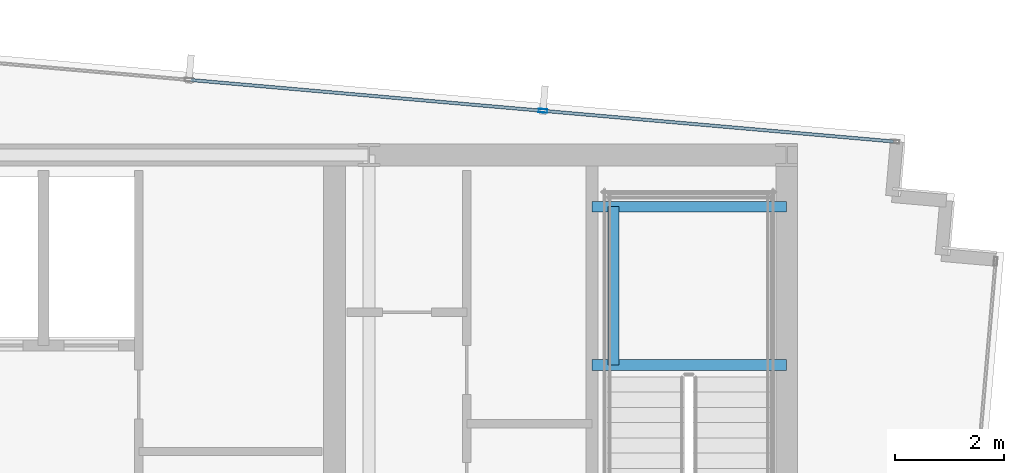
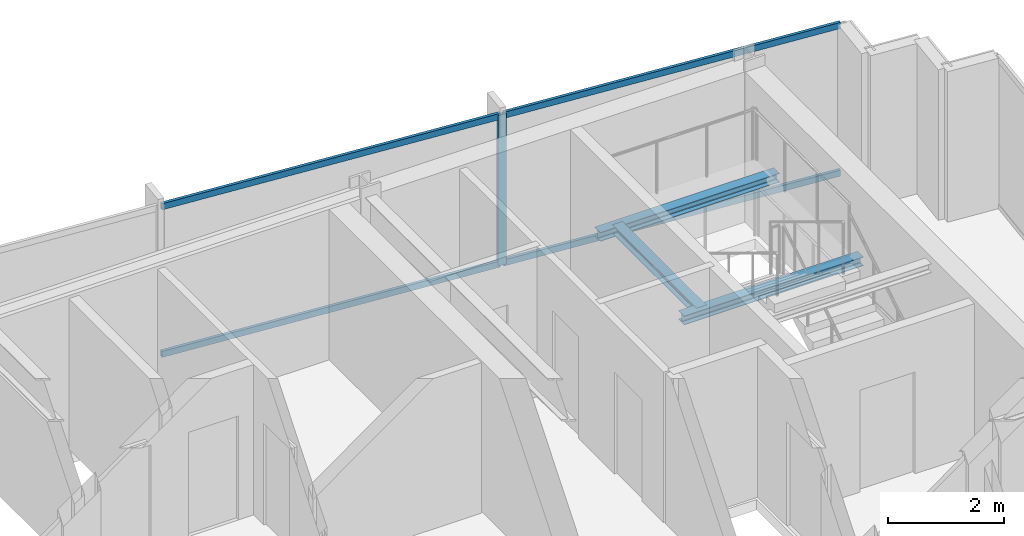
# One storey, part 20 of 33: 5 members, 3 beams, 1 element without a shape of its own.
"""IFC4 building model written with IfcOpenShell, lengths in metres."""

from ifc_helpers import new_model, si_unit, direction, frame, origin, origin_2d, place, context, subcontext, project, spatial, hollow_rectangle, i_section, extrude, material, material_profile, profile_set, type_object, element, aggregate, save


model = new_model("IFC4")

# Units and contexts
model_context = context("Model", 3, precision=1e-05, world=origin(), true_north=direction((0.0, 1.0)))
body_context = subcontext(model_context, "Body", "Model", "MODEL_VIEW")
ifc_project = project(units=[si_unit("LENGTHUNIT", "METRE"), si_unit("AREAUNIT", "SQUARE_METRE"), si_unit("VOLUMEUNIT", "CUBIC_METRE"), si_unit("PLANEANGLEUNIT", "RADIAN"), si_unit("MASSUNIT", "GRAM", prefix="KILO")], contexts=[model_context])

# Site, building, storey
site_placement = place(None, origin())
site = spatial("IfcSite", under=ifc_project, at=site_placement, CompositionType="ELEMENT")
building_placement = place(site_placement, origin())
building = spatial("IfcBuilding", under=site, at=building_placement, Name="Yelkora Congress Tower", CompositionType="ELEMENT")
storey_placement = place(building_placement, frame((0.0, 0.0, 282.89990234375)))
storey = spatial("IfcBuildingStorey", under=building, at=storey_placement, Name="L79", CompositionType="ELEMENT", Elevation=282.89990234375)

# Beams
ifc_material_1 = material(Name="Steel S355J2", Category="steel")
ifc_material_profile_1 = material_profile(ifc_material_1, i_section(OverallWidth=0.199951171875, OverallDepth=0.18994140625, WebThickness=0.006591796875, FlangeThickness=0.010009765625, FilletRadius=0.01806640625, at=origin_2d()), Name="HEA 200")
ifc_profile_set_1 = profile_set([ifc_material_profile_1], Name="Steel S355J2")
beam_type = type_object("IfcBeamType", Name="BM-LAND-HEA200", PredefinedType="BEAM", material=ifc_profile_set_1)
for number, where, z_axis, x_axis, name in (
    (1, (50.179931640625, 42.340087890625, 1.384765625), (1.0, 0.0, 0.0), (0.0, 1.0, 0.0), "ST-02 L79 Landing Header Beam 1S"),
    (2, (50.179931640625, 45.25, 1.384765625), (1.0, 0.0, 0.0), (0.0, 1.0, 0.0), "ST-02 L79 Landing Header Beam 1N"),
):
    element("IfcBeam", number, at=place(storey_placement, frame(where, z_axis=z_axis, x_axis=x_axis)), inside=storey, type_object=beam_type, Name=name, PredefinedType="BEAM", context=body_context, shape_type="SweptSolid", body=[
        extrude(i_section(OverallWidth=0.199951171875, OverallDepth=0.18994140625, WebThickness=0.006591796875, FlangeThickness=0.010009765625, FilletRadius=0.01806640625, at=origin_2d()), origin(), (0.0, 0.0, 1.0), 3.580078125),
    ])
beam_placement = place(storey_placement, frame((50.580078125, 42.340087890625, 1.384765625), z_axis=(0.0, 1.0, 0.0), x_axis=(-1.0, 0.0, 0.0)))
element("IfcBeam", 3, at=beam_placement, inside=storey, type_object=beam_type, Name="ST-02 L79 Landing Trimmer Beam 1M", PredefinedType="BEAM", context=body_context, shape_type="SweptSolid", body=[
    extrude(i_section(OverallWidth=0.199951171875, OverallDepth=0.18994140625, WebThickness=0.006591796875, FlangeThickness=0.010009765625, FilletRadius=0.01806640625, at=origin_2d()), origin(), (0.0, 0.0, 1.0), 2.909912109375),
])

# Curtain wall, members
ifc_material_2 = material(Name="Anodised aluminium and insulated glass", Category="aluminium")
curtain_wall_type = type_object("IfcCurtainWallType", Name="CW-SYS-B5", PredefinedType="NOTDEFINED", material=ifc_material_2)
curtain_wall_placement = place(storey_placement, origin())
curtain_wall = element("IfcCurtainWall", 4, at=curtain_wall_placement, inside=storey, type_object=curtain_wall_type, Name="L79 Unitised Curtain Wall 10", PredefinedType="NOTDEFINED")
ifc_material_3 = material(Name="Anodised aluminium 6063-T6", Category="aluminium")
ifc_material_profile_2 = material_profile(ifc_material_3, hollow_rectangle(XDim=0.06494140625, YDim=0.159912109375, WallThickness=0.00390625, at=origin_2d()), Name="ALU 65x160x4")
ifc_profile_set_2 = profile_set([ifc_material_profile_2], Name="Anodised aluminium 6063-T6")
member_type_1 = type_object("IfcMemberType", Name="MEM-ML-B5", PredefinedType="MULLION", material=ifc_profile_set_2)
member_1_placement = place(storey_placement, frame((49.279541015625, 47.01220703125, 0.0), z_axis=(0.0, 0.0, 1.0), x_axis=(0.087156639893, 0.996194619601, 0.0)))
member_1 = element("IfcMember", 5, at=member_1_placement, type_object=member_type_1, Name="CW-B5 mullion 7", PredefinedType="MULLION", context=body_context, shape_type="SweptSolid", body=[
    extrude(hollow_rectangle(XDim=0.06494140625, YDim=0.159912109375, WallThickness=0.00390625, at=origin_2d()), origin(), (0.0, 0.0, 1.0), 3.18017578125),
])
ifc_material_profile_3 = material_profile(ifc_material_3, hollow_rectangle(XDim=0.06005859375, YDim=0.1298828125, WallThickness=0.00390625, at=origin_2d()), Name="ALU 60x130x4")
ifc_profile_set_3 = profile_set([ifc_material_profile_3], Name="Anodised aluminium 6063-T6")
member_type_2 = type_object("IfcMemberType", Name="MEM-TR-B5", PredefinedType="USERDEFINED", material=ifc_profile_set_3)
member_2_placement = place(storey_placement, frame((42.80517578125, 47.57861328125, 0.030029296875), z_axis=(0.996196257862, -0.087137912649, 0.0), x_axis=(0.087137912649, 0.996196257862, 0.0)))
member_2 = element("IfcMember", 6, at=member_2_placement, type_object=member_type_2, Name="CW-B5 transom 6.1", ObjectType="TRANSOM", PredefinedType="USERDEFINED", context=body_context, shape_type="SweptSolid", body=[
    extrude(hollow_rectangle(XDim=0.06005859375, YDim=0.1298828125, WallThickness=0.00390625, at=origin_2d()), origin(), (0.0, 0.0, 1.0), 6.466552734375),
])
member_3_placement = place(storey_placement, frame((42.80517578125, 47.57861328125, 3.150146484375), z_axis=(0.996196257862, -0.087137912649, 0.0), x_axis=(0.087137912649, 0.996196257862, 0.0)))
member_3 = element("IfcMember", 7, at=member_3_placement, type_object=member_type_2, Name="CW-B5 transom 6.2", ObjectType="TRANSOM", PredefinedType="USERDEFINED", context=body_context, shape_type="SweptSolid", body=[
    extrude(hollow_rectangle(XDim=0.06005859375, YDim=0.1298828125, WallThickness=0.00390625, at=origin_2d()), origin(), (0.0, 0.0, 1.0), 6.466552734375),
])
member_4_placement = place(storey_placement, frame((49.311767578125, 47.009521484375, 0.030029296875), z_axis=(0.996194170551, -0.08716177236, 0.0), x_axis=(0.08716177236, 0.996194170551, 0.0)))
member_4 = element("IfcMember", 8, at=member_4_placement, type_object=member_type_2, Name="CW-B5 transom 7.1", ObjectType="TRANSOM", PredefinedType="USERDEFINED", context=body_context, shape_type="SweptSolid", body=[
    extrude(hollow_rectangle(XDim=0.06005859375, YDim=0.1298828125, WallThickness=0.00390625, at=origin_2d()), origin(), (0.0, 0.0, 1.0), 6.433837890625),
])
member_5_placement = place(storey_placement, frame((49.311767578125, 47.009521484375, 3.150146484375), z_axis=(0.996194170551, -0.08716177236, 0.0), x_axis=(0.08716177236, 0.996194170551, 0.0)))
member_5 = element("IfcMember", 9, at=member_5_placement, type_object=member_type_2, Name="CW-B5 transom 7.2", ObjectType="TRANSOM", PredefinedType="USERDEFINED", context=body_context, shape_type="SweptSolid", body=[
    extrude(hollow_rectangle(XDim=0.06005859375, YDim=0.1298828125, WallThickness=0.00390625, at=origin_2d()), origin(), (0.0, 0.0, 1.0), 6.433837890625),
])
aggregate(curtain_wall, [member_1, member_2, member_3, member_4, member_5])

save(model, "model.ifc")
